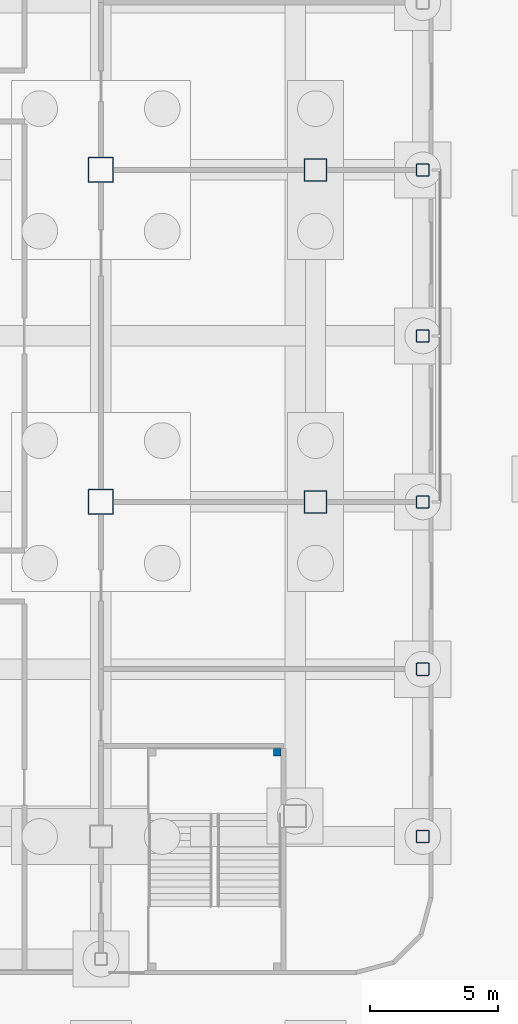
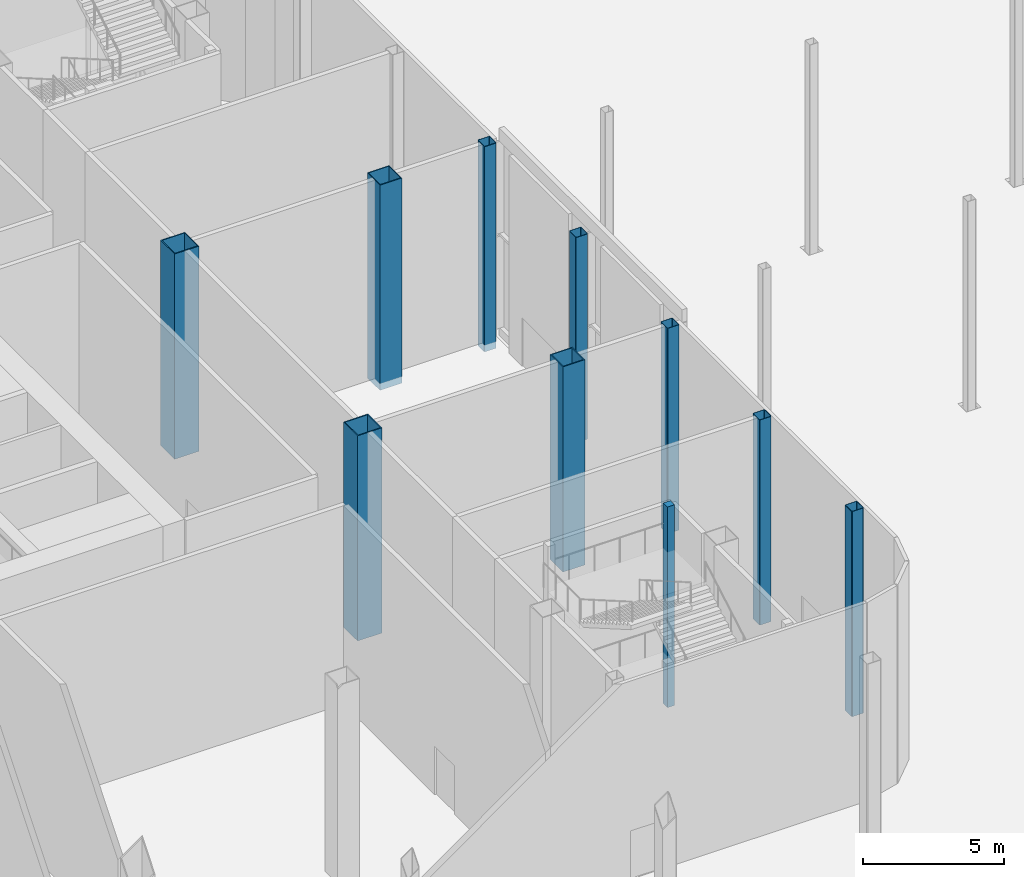
# One storey, part 13 of 113: 10 columns.
"""IFC4 building model written with IfcOpenShell, lengths in metres."""

from ifc_helpers import new_model, si_unit, direction, frame, origin, origin_2d, place, context, subcontext, project, spatial, rectangle, hollow_rectangle, extrude, material, material_profile, profile_set, type_object, element, save


model = new_model("IFC4")

# Units and contexts
model_context = context("Model", 3, precision=1e-05, world=origin(), true_north=direction((0.0, 1.0)))
body_context = subcontext(model_context, "Body", "Model", "MODEL_VIEW")
ifc_project = project(units=[si_unit("LENGTHUNIT", "METRE"), si_unit("AREAUNIT", "SQUARE_METRE"), si_unit("VOLUMEUNIT", "CUBIC_METRE"), si_unit("PLANEANGLEUNIT", "RADIAN"), si_unit("MASSUNIT", "GRAM", prefix="KILO")], contexts=[model_context])

# Site, building, storey
site_placement = place(None, origin())
site = spatial("IfcSite", under=ifc_project, at=site_placement, CompositionType="ELEMENT")
building_placement = place(site_placement, origin())
building = spatial("IfcBuilding", under=site, at=building_placement, Name="Hakoniwa Tower and Hamabe Station Hall", CompositionType="ELEMENT")
storey_placement = place(building_placement, origin())
storey = spatial("IfcBuildingStorey", under=building, at=storey_placement, Name="L01", CompositionType="ELEMENT", Elevation=0.0)

# Columns
ifc_material_1 = material(Name="Steel BCR295", Category="steel")
ifc_material_profile_1 = material_profile(ifc_material_1, hollow_rectangle(XDim=0.5, YDim=0.5, WallThickness=0.01904296875, InnerFilletRadius=0.028564453125, OuterFilletRadius=0.047607421875, at=origin_2d()), Name="BCR-500x500x19")
ifc_profile_set_1 = profile_set([ifc_material_profile_1], Name="Steel BCR295")
column_type_1 = type_object("IfcColumnType", Name="COLUMN BCR-500x500x19", PredefinedType="COLUMN", material=ifc_profile_set_1)
for number, where, z_axis, x_axis, name in (
    (1, (54.60009765625, -19.60009765625, -0.300048828125), (0.0, 0.0, 1.0), (1.0, 0.0, 0.0), "Column P-RE-A1"),
    (2, (54.60009765625, -13.050048828125, -0.300048828125), (0.0, 0.0, 1.0), (1.0, 0.0, 0.0), "Column P-RE-B1"),
    (3, (54.60009765625, -6.5, -0.300048828125), (0.0, 0.0, 1.0), (1.0, 0.0, 0.0), "Column P-RE-C1"),
    (4, (54.60009765625, 0.0, -0.300048828125), (0.0, 0.0, 1.0), (1.0, 0.0, 0.0), "Column P-RE-D1"),
    (5, (54.60009765625, 6.5, -0.300048828125), (0.0, 0.0, 1.0), (1.0, 0.0, 0.0), "Column P-RE-E1"),
):
    element("IfcColumn", number, at=place(storey_placement, frame(where, z_axis=z_axis, x_axis=x_axis)), inside=storey, type_object=column_type_1, Name=name, PredefinedType="COLUMN", context=body_context, shape_type="SweptSolid", body=[
        extrude(hollow_rectangle(XDim=0.5, YDim=0.5, WallThickness=0.01904296875, InnerFilletRadius=0.028564453125, OuterFilletRadius=0.047607421875, at=origin_2d()), origin(), (0.0, 0.0, 1.0), 8.900146484375),
    ])
ifc_material_2 = material(Name="Steel SN490C", Category="steel")
ifc_material_profile_2 = material_profile(ifc_material_2, hollow_rectangle(XDim=1.0, YDim=1.0, WallThickness=0.0400390625, at=origin_2d()), Name="BX-1000x1000x40")
ifc_profile_set_2 = profile_set([ifc_material_profile_2], Name="Steel SN490C")
column_type_2 = type_object("IfcColumnType", Name="COLUMN BX-1000x1000x40", PredefinedType="COLUMN", material=ifc_profile_set_2)
for number, where, z_axis, x_axis, name in (
    (6, (42.0, -6.5, -0.300048828125), (0.0, 0.0, 1.0), (1.0, 0.0, 0.0), "Column P-12-C1"),
    (7, (42.0, 6.5, -0.300048828125), (0.0, 0.0, 1.0), (1.0, 0.0, 0.0), "Column P-12-E1"),
):
    element("IfcColumn", number, at=place(storey_placement, frame(where, z_axis=z_axis, x_axis=x_axis)), inside=storey, type_object=column_type_2, Name=name, PredefinedType="COLUMN", context=body_context, shape_type="SweptSolid", body=[
        extrude(hollow_rectangle(XDim=1.0, YDim=1.0, WallThickness=0.0400390625, at=origin_2d()), origin(), (0.0, 0.0, 1.0), 8.900146484375),
    ])
ifc_material_3 = material(Name="Steel SN490C", Category="steel")
ifc_material_profile_3 = material_profile(ifc_material_3, hollow_rectangle(XDim=0.89990234375, YDim=0.89990234375, WallThickness=0.035888671875, at=origin_2d()), Name="BX-900x900x36")
ifc_profile_set_3 = profile_set([ifc_material_profile_3], Name="Steel SN490C")
column_type_3 = type_object("IfcColumnType", Name="COLUMN BX-900x900x36", PredefinedType="COLUMN", material=ifc_profile_set_3)
for number, where, z_axis, x_axis, name in (
    (8, (50.39990234375, -6.5, -0.300048828125), (0.0, 0.0, 1.0), (1.0, 0.0, 0.0), "Column P-13-C1"),
    (9, (50.39990234375, 6.5, -0.300048828125), (0.0, 0.0, 1.0), (1.0, 0.0, 0.0), "Column P-13-E1"),
):
    element("IfcColumn", number, at=place(storey_placement, frame(where, z_axis=z_axis, x_axis=x_axis)), inside=storey, type_object=column_type_3, Name=name, PredefinedType="COLUMN", context=body_context, shape_type="SweptSolid", body=[
        extrude(hollow_rectangle(XDim=0.89990234375, YDim=0.89990234375, WallThickness=0.035888671875, at=origin_2d()), origin(), (0.0, 0.0, 1.0), 8.900146484375),
    ])
ifc_material_4 = material(Name="Concrete C40", Category="concrete")
ifc_material_profile_4 = material_profile(ifc_material_4, rectangle(XDim=0.300048828125, YDim=0.300048828125, at=origin_2d()), Name="STAIR LANDING POST 300X300")
ifc_profile_set_4 = profile_set([ifc_material_profile_4], Name="Concrete C40")
column_type_4 = type_object("IfcColumnType", Name="STAIR LANDING POST 300X300", PredefinedType="COLUMN", material=ifc_profile_set_4)
column_placement = place(storey_placement, frame((48.89990234375, -16.300048828125, 0.0), z_axis=(0.0, 0.0, 1.0), x_axis=(1.0, 0.0, 0.0)))
element("IfcColumn", 10, at=column_placement, inside=storey, type_object=column_type_4, Name="Landing post PS3 2a", PredefinedType="COLUMN", context=body_context, shape_type="SweptSolid", body=[
    extrude(rectangle(XDim=0.300048828125, YDim=0.300048828125, at=origin_2d()), origin(), (0.0, 0.0, 1.0), 8.699951171875),
])

save(model, "model.ifc")
